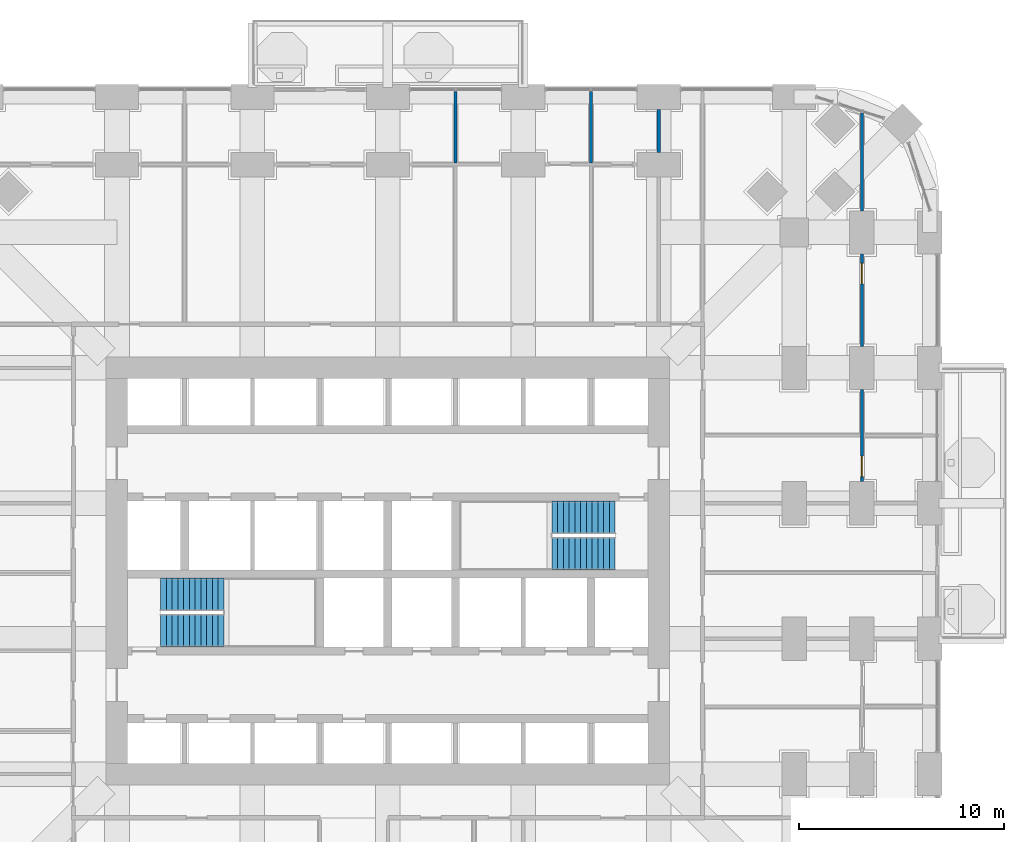
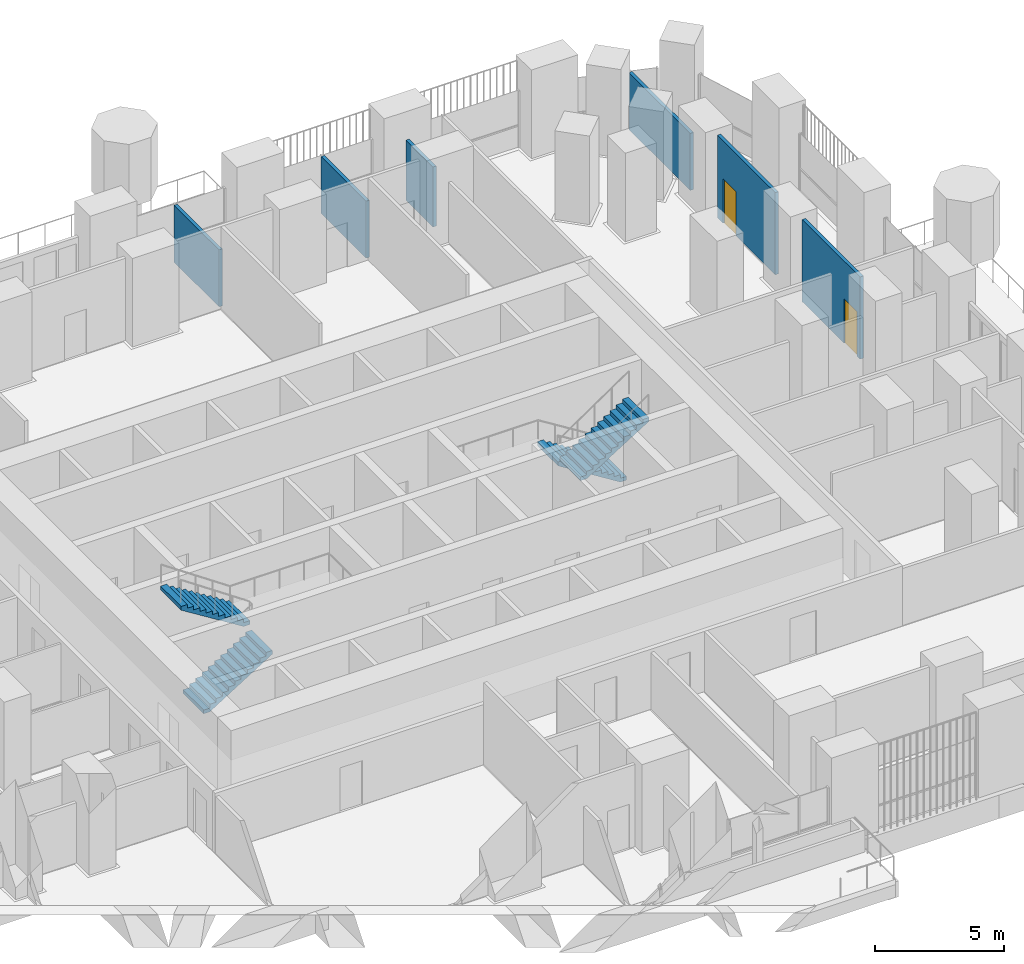
# One storey, part 21 of 26: 6 walls, 4 stair flights, 2 doors, 2 openings, 2 elements without a shape of their own.
"""IFC4 building model written with IfcOpenShell, lengths in metres."""

from ifc_helpers import new_model, si_unit, direction, frame, frame_2d, origin, place, context, subcontext, project, spatial, polyline, rectangle, outline, extrude, material, layer, layer_set, type_object, element, fill, aggregate, save


model = new_model("IFC4")

# Units and contexts
model_context = context("Model", 3, precision=1e-05, world=origin(), true_north=direction((0.0, 1.0)))
body_context = subcontext(model_context, "Body", "Model", "MODEL_VIEW")
ifc_project = project(units=[si_unit("LENGTHUNIT", "METRE"), si_unit("AREAUNIT", "SQUARE_METRE"), si_unit("VOLUMEUNIT", "CUBIC_METRE"), si_unit("PLANEANGLEUNIT", "RADIAN"), si_unit("MASSUNIT", "GRAM", prefix="KILO")], contexts=[model_context])

# Site, building, storey
site_placement = place(None, origin())
site = spatial("IfcSite", under=ifc_project, at=site_placement, CompositionType="ELEMENT")
building_placement = place(site_placement, origin())
building = spatial("IfcBuilding", under=site, at=building_placement, Name="Cobogo Forest Laboratory Tower", CompositionType="ELEMENT")
storey_placement = place(building_placement, frame((0.0, 0.0, 50.699951171875)))
storey = spatial("IfcBuildingStorey", under=building, at=storey_placement, Name="L11", CompositionType="ELEMENT", Elevation=50.699951171875)

# Wall, opening, door
ifc_material_1 = material(Name="Gypsum board on steel studs", Category="steel")
ifc_layer = layer(ifc_material_1, 0.14990234375)
ifc_layer_set = layer_set([ifc_layer], Name="PT1 laboratory partition 150")
wall_type = type_object("IfcWallType", Name="PT1 laboratory partition 150", PredefinedType="PARTITIONING", material=ifc_layer_set)
wall_1_placement = place(storey_placement, frame((49.5, 27.449951171875, 0.0), z_axis=(0.0, 0.0, 1.0), x_axis=(0.0, 1.0, 0.0)))
wall_1 = element("IfcWall", 1, at=wall_1_placement, inside=storey, type_object=wall_type, Name="Partition STRIP-E-3 L11", PredefinedType="PARTITIONING", context=body_context, shape_type="SweptSolid", body=[
    extrude(rectangle(XDim=4.5, YDim=0.14990234375, at=frame_2d((2.25, 0.0))), origin(), (0.0, 0.0, 1.0), 3.900146484375),
])
opening_1_placement = place(wall_1_placement, frame((0.25, 0.0, 0.0)))
opening_1 = element("IfcOpeningElement", 2, at=opening_1_placement, cuts=wall_1, Name="Opening L11-D31", PredefinedType="OPENING", context=body_context, shape_type="SweptSolid", body=[
    extrude(rectangle(XDim=1.0, YDim=2.10009765625, at=frame_2d((0.5, 1.050048828125))), frame((0.0, 0.0849609375, 0.0), z_axis=(0.0, -1.0, 0.0), x_axis=(1.0, 0.0, 0.0)), (0.0, 0.0, 1.0), 0.169921875),
])
ifc_material_2 = material(Name="Timber fire door", Category="wood")
door_type = type_object("IfcDoorType", Name="FD2 fire door 1000 EI2 30", OperationType="SINGLE_SWING_LEFT", PredefinedType="DOOR", material=ifc_material_2)
door_1_placement = place(opening_1_placement, origin())
door_1 = element("IfcDoor", 3, at=door_1_placement, inside=storey, type_object=door_type, Name="Door L11-E3W", OperationType="SINGLE_SWING_LEFT", OverallHeight=2.10009765625, OverallWidth=1.0, PredefinedType="DOOR", context=body_context, shape_type="SweptSolid", body=[
    extrude(rectangle(XDim=1.0, YDim=2.10009765625, at=frame_2d((0.5, 1.050048828125))), frame((0.0, 0.02490234375, 0.0), z_axis=(0.0, -1.0, 0.0), x_axis=(1.0, 0.0, 0.0)), (0.0, 0.0, 1.0), 0.050048828125),
])
fill(opening_1, door_1)

wall_2_placement = place(storey_placement, frame((49.5, 34.050048828125, 0.0), z_axis=(0.0, 0.0, 1.0), x_axis=(0.0, 1.0, 0.0)))
wall_2 = element("IfcWall", 4, at=wall_2_placement, inside=storey, type_object=wall_type, Name="Partition STRIP-E-4 L11", PredefinedType="PARTITIONING", context=body_context, shape_type="SweptSolid", body=[
    extrude(rectangle(XDim=4.5, YDim=0.14990234375, at=frame_2d((2.25, 0.0))), origin(), (0.0, 0.0, 1.0), 3.900146484375),
])
opening_2_placement = place(wall_2_placement, frame((3.0419921875, 0.0, 0.0)))
opening_2 = element("IfcOpeningElement", 5, at=opening_2_placement, cuts=wall_2, Name="Opening L11-D43", PredefinedType="OPENING", context=body_context, shape_type="SweptSolid", body=[
    extrude(rectangle(XDim=1.0, YDim=2.10009765625, at=frame_2d((0.5, 1.050048828125))), frame((0.0, 0.0849609375, 0.0), z_axis=(0.0, -1.0, 0.0), x_axis=(1.0, 0.0, 0.0)), (0.0, 0.0, 1.0), 0.169921875),
])
door_2_placement = place(opening_2_placement, origin())
door_2 = element("IfcDoor", 6, at=door_2_placement, inside=storey, type_object=door_type, Name="Door L11-E4W", OperationType="SINGLE_SWING_RIGHT", OverallHeight=2.10009765625, OverallWidth=1.0, PredefinedType="DOOR", context=body_context, shape_type="SweptSolid", body=[
    extrude(rectangle(XDim=1.0, YDim=2.10009765625, at=frame_2d((0.5, 1.050048828125))), frame((0.0, 0.02490234375, 0.0), z_axis=(0.0, -1.0, 0.0), x_axis=(1.0, 0.0, 0.0)), (0.0, 0.0, 1.0), 0.050048828125),
])
fill(opening_2, door_2)

# Walls
wall_3_placement = place(storey_placement, frame((49.5, 40.64990234375, 0.0), z_axis=(0.0, 0.0, 1.0), x_axis=(0.0, 1.0, 0.0)))
element("IfcWall", 7, at=wall_3_placement, inside=storey, type_object=wall_type, Name="Partition STRIP-E-5 L11", PredefinedType="PARTITIONING", context=body_context, shape_type="SweptSolid", body=[
    extrude(rectangle(XDim=4.774169921875, YDim=0.14990234375, at=frame_2d((2.38720703125, 0.0))), origin(), (0.0, 0.0, 1.0), 2.699951171875),
])
for number, where, z_axis, x_axis, name in (
    (8, (29.699951171875, 46.469970703125, 0.0), (0.0, 0.0, 1.0), (0.0, -1.0, 0.0), "Partition CUT-N29.7a-1 L11"),
    (9, (36.300048828125, 46.469970703125, 0.0), (0.0, 0.0, 1.0), (0.0, -1.0, 0.0), "Partition CUT-N36.3a-1 L11"),
):
    element("IfcWall", number, at=place(storey_placement, frame(where, z_axis=z_axis, x_axis=x_axis)), inside=storey, type_object=wall_type, Name=name, PredefinedType="PARTITIONING", context=body_context, shape_type="SweptSolid", body=[
        extrude(rectangle(XDim=3.494873046875, YDim=0.14990234375, at=frame_2d((1.74755859375, 0.0))), origin(), (0.0, 0.0, 1.0), 2.699951171875),
    ])
wall_4_placement = place(storey_placement, frame((39.60009765625, 45.60009765625, 0.0), z_axis=(0.0, 0.0, 1.0), x_axis=(0.0, -1.0, 0.0)))
element("IfcWall", 10, at=wall_4_placement, inside=storey, type_object=wall_type, Name="Partition CUT-N39.6-1 L11", PredefinedType="PARTITIONING", context=body_context, shape_type="SweptSolid", body=[
    extrude(rectangle(XDim=2.10009765625, YDim=0.14990234375, at=frame_2d((1.050048828125, 0.0))), origin(), (0.0, 0.0, 1.0), 2.85009765625),
])

# Stair, stair flights
ifc_material_3 = material(Name="Precast concrete HA-40 (C40/50)", Category="concrete")
stair_type = type_object("IfcStairType", Name="ST24 exit stair 24 risers", PredefinedType="HALF_TURN_STAIR", material=ifc_material_3)
stair_1_placement = place(storey_placement, origin())
stair_1 = element("IfcStair", 11, at=stair_1_placement, inside=storey, type_object=stair_type, Name="Stair 1 L11 to L12", PredefinedType="HALF_TURN_STAIR")
stair_flight_type = type_object("IfcStairFlightType", Name="ST stair flight 280 going", PredefinedType="STRAIGHT", material=ifc_material_3)
stair_flight_1_placement = place(storey_placement, frame((15.324951171875, 20.199951171875, 0.0), z_axis=(0.0, 0.0, 1.0), x_axis=(1.0, 0.0, 0.0)))
stair_flight_1 = element("IfcStairFlight", 12, at=stair_flight_1_placement, type_object=stair_flight_type, Name="ST1 flight 1", NumberOfRisers=12, NumberOfTreads=11, PredefinedType="STRAIGHT", RiserHeight=0.175, TreadLength=0.28, context=body_context, shape_type="SweptSolid", body=[
    extrude(outline(polyline([(0.0, 0.0), (0.0, 0.175048828125), (0.280029296875, 0.175048828125), (0.280029296875, 0.35009765625), (0.56005859375, 0.35009765625), (0.56005859375, 0.52490234375), (0.840087890625, 0.52490234375), (0.840087890625, 0.699951171875), (1.1201171875, 0.699951171875), (1.1201171875, 0.875), (1.39990234375, 0.875), (1.39990234375, 1.050048828125), (1.679931640625, 1.050048828125), (1.679931640625, 1.22509765625), (1.9599609375, 1.22509765625), (1.9599609375, 1.39990234375), (2.239990234375, 1.39990234375), (2.239990234375, 1.574951171875), (2.52001953125, 1.574951171875), (2.52001953125, 1.75), (2.800048828125, 1.75), (2.800048828125, 1.925048828125), (3.080078125, 1.925048828125), (3.080078125, 2.10009765625), (3.080078125, 1.748291015625), (0.28271484375, 0.0), (0.0, 0.0)])), frame((0.0, 0.800048828125, 0.0), z_axis=(0.0, -1.0, 0.0), x_axis=(1.0, 0.0, 0.0)), (0.0, 0.0, 1.0), 1.60009765625),
])
stair_flight_2_placement = place(storey_placement, frame((18.405029296875, 21.949951171875, 2.10009765625), z_axis=(0.0, 0.0, 1.0), x_axis=(-1.0, 0.0, 0.0)))
stair_flight_2 = element("IfcStairFlight", 13, at=stair_flight_2_placement, type_object=stair_flight_type, Name="ST1 flight 2", NumberOfRisers=12, NumberOfTreads=11, PredefinedType="STRAIGHT", RiserHeight=0.175, TreadLength=0.28, context=body_context, shape_type="SweptSolid", body=[
    extrude(outline(polyline([(0.0, 0.0), (0.0, 0.175048828125), (0.280029296875, 0.175048828125), (0.280029296875, 0.35009765625), (0.56005859375, 0.35009765625), (0.56005859375, 0.52490234375), (0.840087890625, 0.52490234375), (0.840087890625, 0.699951171875), (1.1201171875, 0.699951171875), (1.1201171875, 0.875), (1.39990234375, 0.875), (1.39990234375, 1.050048828125), (1.679931640625, 1.050048828125), (1.679931640625, 1.22509765625), (1.9599609375, 1.22509765625), (1.9599609375, 1.39990234375), (2.239990234375, 1.39990234375), (2.239990234375, 1.574951171875), (2.52001953125, 1.574951171875), (2.52001953125, 1.75), (2.800048828125, 1.75), (2.800048828125, 1.925048828125), (3.080078125, 1.925048828125), (3.080078125, 2.10009765625), (3.080078125, 1.748291015625), (0.28271484375, 0.0), (0.0, 0.0)])), frame((0.0, 0.800048828125, 0.0), z_axis=(0.0, -1.0, 0.0), x_axis=(1.0, 0.0, 0.0)), (0.0, 0.0, 1.0), 1.60009765625),
])
aggregate(stair_1, [stair_flight_1, stair_flight_2])

stair_2_placement = place(storey_placement, origin())
stair_2 = element("IfcStair", 14, at=stair_2_placement, inside=storey, type_object=stair_type, Name="Stair 2 L11 to L12", PredefinedType="HALF_TURN_STAIR")
stair_flight_3_placement = place(storey_placement, frame((37.47509765625, 25.699951171875, 0.0), z_axis=(0.0, 0.0, 1.0), x_axis=(-1.0, 0.0, 0.0)))
stair_flight_3 = element("IfcStairFlight", 15, at=stair_flight_3_placement, type_object=stair_flight_type, Name="ST2 flight 1", NumberOfRisers=12, NumberOfTreads=11, PredefinedType="STRAIGHT", RiserHeight=0.175, TreadLength=0.28, context=body_context, shape_type="SweptSolid", body=[
    extrude(outline(polyline([(0.0, 0.0), (0.0, 0.175048828125), (0.280029296875, 0.175048828125), (0.280029296875, 0.35009765625), (0.56005859375, 0.35009765625), (0.56005859375, 0.52490234375), (0.840087890625, 0.52490234375), (0.840087890625, 0.699951171875), (1.1201171875, 0.699951171875), (1.1201171875, 0.875), (1.39990234375, 0.875), (1.39990234375, 1.050048828125), (1.679931640625, 1.050048828125), (1.679931640625, 1.22509765625), (1.9599609375, 1.22509765625), (1.9599609375, 1.39990234375), (2.239990234375, 1.39990234375), (2.239990234375, 1.574951171875), (2.52001953125, 1.574951171875), (2.52001953125, 1.75), (2.800048828125, 1.75), (2.800048828125, 1.925048828125), (3.080078125, 1.925048828125), (3.080078125, 2.10009765625), (3.080078125, 1.748291015625), (0.28271484375, 0.0), (0.0, 0.0)])), frame((0.0, 0.800048828125, 0.0), z_axis=(0.0, -1.0, 0.0), x_axis=(1.0, 0.0, 0.0)), (0.0, 0.0, 1.0), 1.60009765625),
])
stair_flight_4_placement = place(storey_placement, frame((34.39501953125, 23.949951171875, 2.10009765625), z_axis=(0.0, 0.0, 1.0), x_axis=(1.0, 0.0, 0.0)))
stair_flight_4 = element("IfcStairFlight", 16, at=stair_flight_4_placement, type_object=stair_flight_type, Name="ST2 flight 2", NumberOfRisers=12, NumberOfTreads=11, PredefinedType="STRAIGHT", RiserHeight=0.175, TreadLength=0.28, context=body_context, shape_type="SweptSolid", body=[
    extrude(outline(polyline([(0.0, 0.0), (0.0, 0.175048828125), (0.280029296875, 0.175048828125), (0.280029296875, 0.35009765625), (0.56005859375, 0.35009765625), (0.56005859375, 0.52490234375), (0.840087890625, 0.52490234375), (0.840087890625, 0.699951171875), (1.1201171875, 0.699951171875), (1.1201171875, 0.875), (1.39990234375, 0.875), (1.39990234375, 1.050048828125), (1.679931640625, 1.050048828125), (1.679931640625, 1.22509765625), (1.9599609375, 1.22509765625), (1.9599609375, 1.39990234375), (2.239990234375, 1.39990234375), (2.239990234375, 1.574951171875), (2.52001953125, 1.574951171875), (2.52001953125, 1.75), (2.800048828125, 1.75), (2.800048828125, 1.925048828125), (3.080078125, 1.925048828125), (3.080078125, 2.10009765625), (3.080078125, 1.748291015625), (0.28271484375, 0.0), (0.0, 0.0)])), frame((0.0, 0.800048828125, 0.0), z_axis=(0.0, -1.0, 0.0), x_axis=(1.0, 0.0, 0.0)), (0.0, 0.0, 1.0), 1.60009765625),
])
aggregate(stair_2, [stair_flight_3, stair_flight_4])

save(model, "model.ifc")
